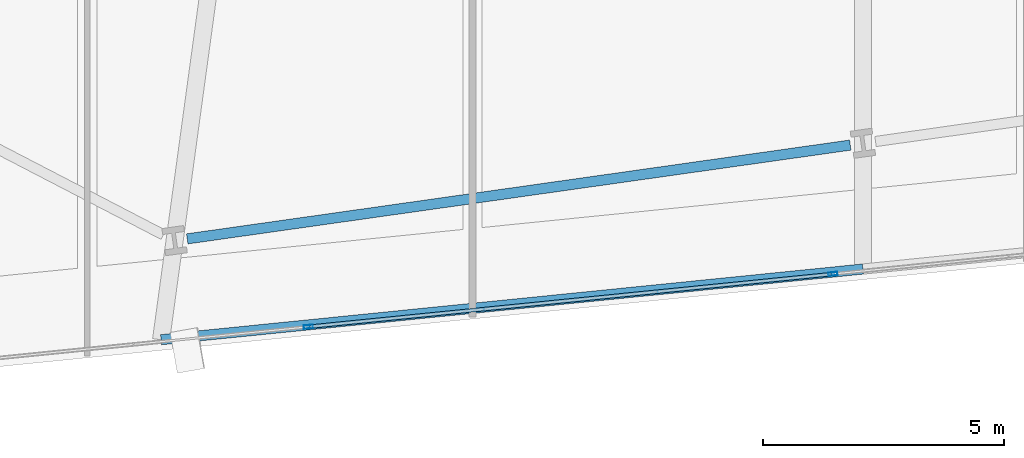
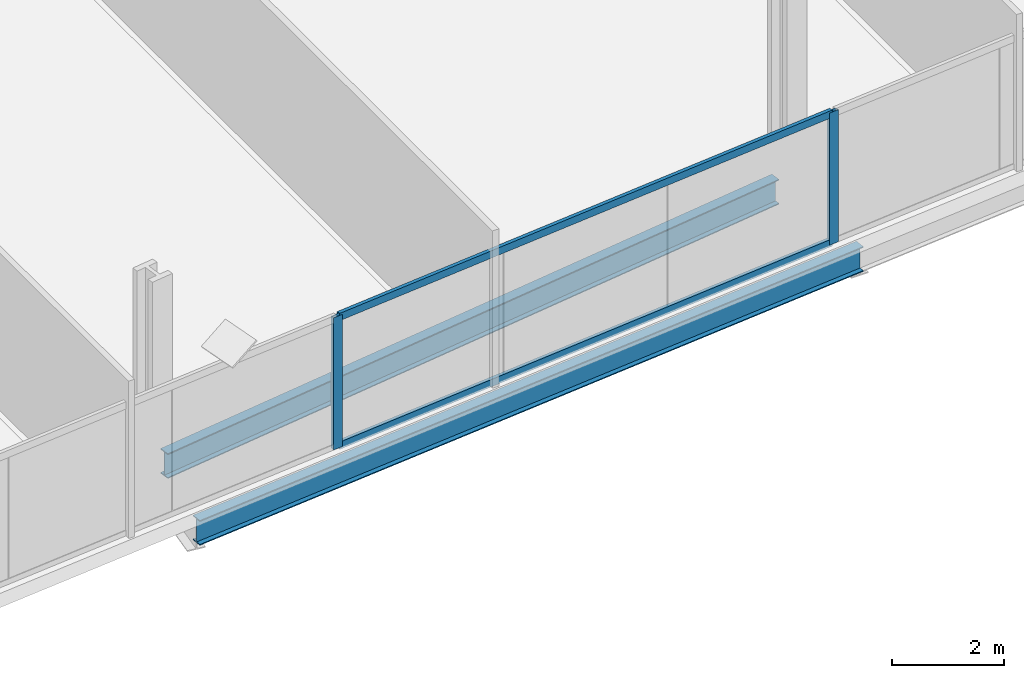
# One storey, part 5 of 33: 4 members, 2 beams, 1 element without a shape of its own.
"""IFC4 building model written with IfcOpenShell, lengths in metres."""

from ifc_helpers import new_model, si_unit, direction, frame, origin, origin_2d, place, context, subcontext, project, spatial, hollow_rectangle, i_section, extrude, material, material_profile, profile_set, type_object, element, aggregate, save


model = new_model("IFC4")

# Units and contexts
model_context = context("Model", 3, precision=1e-05, world=origin(), true_north=direction((0.0, 1.0)))
body_context = subcontext(model_context, "Body", "Model", "MODEL_VIEW")
ifc_project = project(units=[si_unit("LENGTHUNIT", "METRE"), si_unit("AREAUNIT", "SQUARE_METRE"), si_unit("VOLUMEUNIT", "CUBIC_METRE"), si_unit("PLANEANGLEUNIT", "RADIAN"), si_unit("MASSUNIT", "GRAM", prefix="KILO")], contexts=[model_context])

# Site, building, storey
site_placement = place(None, origin())
site = spatial("IfcSite", under=ifc_project, at=site_placement, CompositionType="ELEMENT")
building_placement = place(site_placement, origin())
building = spatial("IfcBuilding", under=site, at=building_placement, Name="Haldenkirk Collegiate Tower", CompositionType="ELEMENT")
storey_placement = place(building_placement, frame((0.0, 0.0, 47.699951171875)))
storey = spatial("IfcBuildingStorey", under=building, at=storey_placement, Name="L10", CompositionType="ELEMENT", Elevation=47.699951171875)

# Beams
ifc_material_1 = material(Name="Steel ASTM A992 Grade 50", Category="steel")
ifc_material_profile_1 = material_profile(ifc_material_1, i_section(OverallWidth=0.2119140625, OverallDepth=0.5439453125, WebThickness=0.01318359375, FlangeThickness=0.021240234375, at=origin_2d()), Name="W21X83")
ifc_profile_set_1 = profile_set([ifc_material_profile_1], Name="Steel ASTM A992 Grade 50")
beam_type = type_object("IfcBeamType", Name="BM-SPANDREL-W21X83", PredefinedType="SPANDREL", material=ifc_profile_set_1)
beam_1_placement = place(storey_placement, frame((25.076904296875, 2.0341796875, -0.58203125), z_axis=(0.990146197746, 0.14003752029, 0.0), x_axis=(-0.14003752029, 0.990146197746, 0.0)))
element("IfcBeam", 1, at=beam_1_placement, inside=storey, type_object=beam_type, Name="L10 perimeter spandrel beam 02", PredefinedType="SPANDREL", context=body_context, shape_type="SweptSolid", body=[
    extrude(i_section(OverallWidth=0.2119140625, OverallDepth=0.5439453125, WebThickness=0.01318359375, FlangeThickness=0.021240234375, at=origin_2d()), origin(), (0.0, 0.0, 1.0), 13.906982421875),
])
beam_2_placement = place(storey_placement, frame((24.5341796875, -0.059814453125, -0.58203125), z_axis=(0.99496897099, 0.100183565356, 0.0), x_axis=(-0.100183565356, 0.99496897099, 0.0)))
element("IfcBeam", 2, at=beam_2_placement, inside=storey, type_object=beam_type, Name="L10 outer facade edge beam 1A", PredefinedType="SPANDREL", context=body_context, shape_type="SweptSolid", body=[
    extrude(i_section(OverallWidth=0.2119140625, OverallDepth=0.5439453125, WebThickness=0.01318359375, FlangeThickness=0.021240234375, at=origin_2d()), origin(), (0.0, 0.0, 1.0), 14.6484375),
])

# Curtain wall, members
ifc_material_2 = material(Name="Anodised architectural bronze aluminium", Category="aluminium")
curtain_wall_type = type_object("IfcCurtainWallType", Name="CW-SYS2-CONCAVE", PredefinedType="USERDEFINED", material=ifc_material_2)
curtain_wall_placement = place(storey_placement, origin())
curtain_wall = element("IfcCurtainWall", 3, at=curtain_wall_placement, inside=storey, type_object=curtain_wall_type, Name="L10 South concave recessed bronze-anodised curtain wall", ObjectType="UNITISED CURTAIN WALL", PredefinedType="USERDEFINED")
ifc_material_profile_2 = material_profile(ifc_material_2, hollow_rectangle(XDim=0.074951171875, YDim=0.18994140625, WallThickness=0.0048828125, at=origin_2d()), Name="CW-MUL-02")
ifc_profile_set_2 = profile_set([ifc_material_profile_2], Name="Anodised architectural bronze aluminium")
member_type_1 = type_object("IfcMemberType", Name="CW-MUL-02", PredefinedType="MULLION", material=ifc_profile_set_2)
member_1_placement = place(storey_placement, frame((38.48681640625, 1.304931640625, 0.0), z_axis=(0.0, 0.0, 1.0), x_axis=(0.100187271136, -0.994968597847, 0.0)))
member_1 = element("IfcMember", 4, at=member_1_placement, type_object=member_type_1, Name="CW-02 mullion 3", PredefinedType="MULLION", context=body_context, shape_type="SweptSolid", body=[
    extrude(hollow_rectangle(XDim=0.074951171875, YDim=0.18994140625, WallThickness=0.0048828125, at=origin_2d()), origin(), (0.0, 0.0, 1.0), 2.89111328125),
])
member_2_placement = place(storey_placement, frame((27.591796875, 0.207763671875, 0.0), z_axis=(0.0, 0.0, 1.0), x_axis=(0.100187271136, -0.994968597847, 0.0)))
member_2 = element("IfcMember", 5, at=member_2_placement, type_object=member_type_1, Name="CW-02 mullion 4", PredefinedType="MULLION", context=body_context, shape_type="SweptSolid", body=[
    extrude(hollow_rectangle(XDim=0.074951171875, YDim=0.18994140625, WallThickness=0.0048828125, at=origin_2d()), origin(), (0.0, 0.0, 1.0), 2.89111328125),
])
ifc_material_profile_3 = material_profile(ifc_material_2, hollow_rectangle(XDim=0.074951171875, YDim=0.159912109375, WallThickness=0.0048828125, at=origin_2d()), Name="CW-TRN-02")
ifc_profile_set_3 = profile_set([ifc_material_profile_3], Name="Anodised architectural bronze aluminium")
member_type_2 = type_object("IfcMemberType", Name="CW-TRN-02", PredefinedType="USERDEFINED", material=ifc_profile_set_3)
member_3_placement = place(storey_placement, frame((38.449462890625, 1.301025390625, 0.03759765625), z_axis=(-0.994970284526, -0.100170519169, 0.0), x_axis=(0.100170519169, -0.994970284526, 0.0)))
member_3 = element("IfcMember", 6, at=member_3_placement, type_object=member_type_2, Name="CW-02 transom 3.1", ObjectType="TRANSOM", PredefinedType="USERDEFINED", context=body_context, shape_type="SweptSolid", body=[
    extrude(hollow_rectangle(XDim=0.074951171875, YDim=0.159912109375, WallThickness=0.0048828125, at=origin_2d()), origin(), (0.0, 0.0, 1.0), 10.875),
])
member_4_placement = place(storey_placement, frame((38.449462890625, 1.301025390625, 2.853515625), z_axis=(-0.994970284526, -0.100170519169, 0.0), x_axis=(0.100170519169, -0.994970284526, 0.0)))
member_4 = element("IfcMember", 7, at=member_4_placement, type_object=member_type_2, Name="CW-02 transom 3.2", ObjectType="TRANSOM", PredefinedType="USERDEFINED", context=body_context, shape_type="SweptSolid", body=[
    extrude(hollow_rectangle(XDim=0.074951171875, YDim=0.159912109375, WallThickness=0.0048828125, at=origin_2d()), origin(), (0.0, 0.0, 1.0), 10.875),
])
aggregate(curtain_wall, [member_1, member_2, member_3, member_4])

save(model, "model.ifc")
